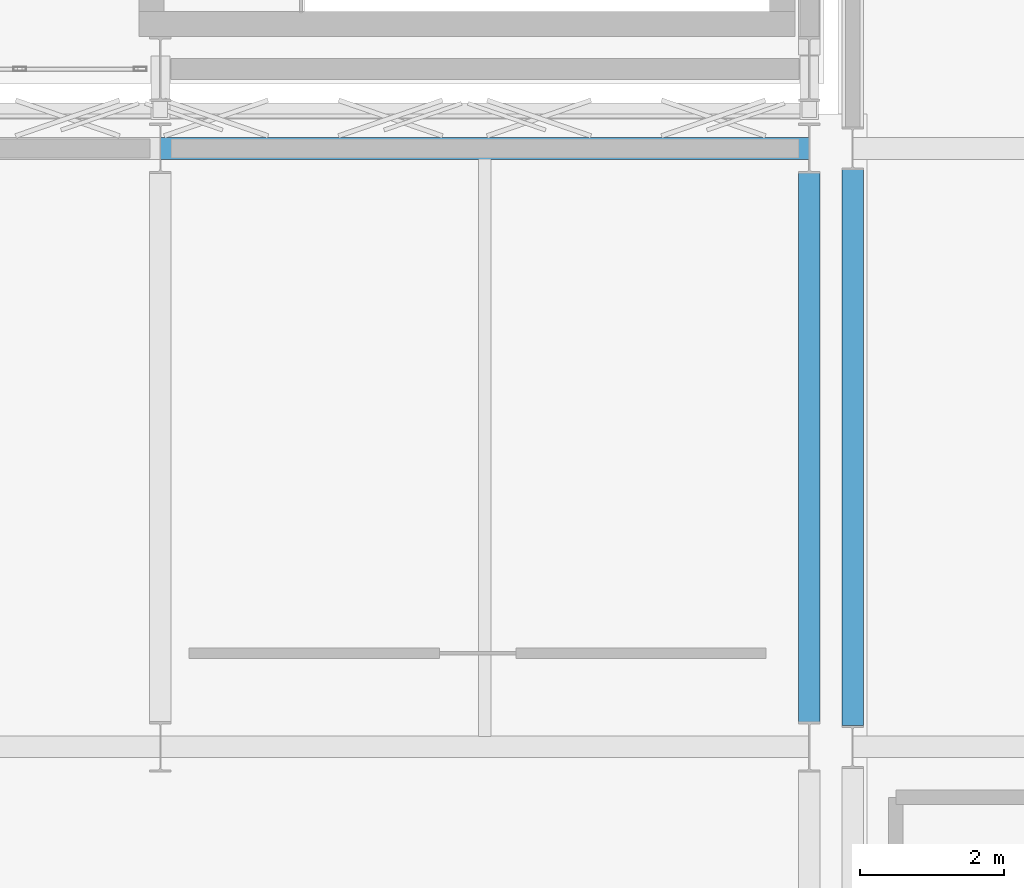
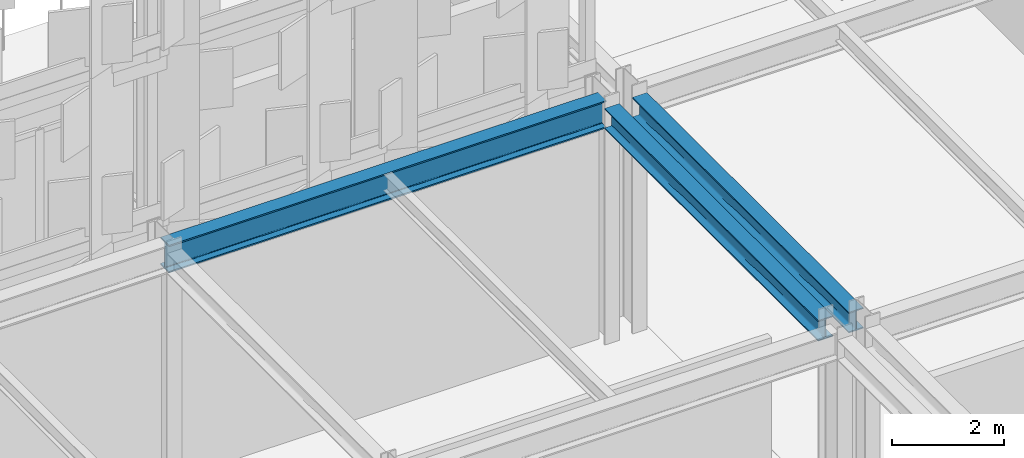
# One storey, part 72 of 210: 3 beams.
"""IFC4 building model written with IfcOpenShell, lengths in metres."""

from ifc_helpers import new_model, si_unit, direction, frame, origin, origin_2d, place, context, subcontext, project, spatial, i_section, extrude, material, material_profile, profile_set, type_object, element, save


model = new_model("IFC4")

# Units and contexts
model_context = context("Model", 3, precision=1e-05, world=origin(), true_north=direction((0.0, 1.0)))
body_context = subcontext(model_context, "Body", "Model", "MODEL_VIEW")
ifc_project = project(units=[si_unit("LENGTHUNIT", "METRE"), si_unit("AREAUNIT", "SQUARE_METRE"), si_unit("VOLUMEUNIT", "CUBIC_METRE"), si_unit("PLANEANGLEUNIT", "RADIAN"), si_unit("MASSUNIT", "GRAM", prefix="KILO")], contexts=[model_context])

# Site, building, storey
site_placement = place(None, origin())
site = spatial("IfcSite", under=ifc_project, at=site_placement, CompositionType="ELEMENT")
building_placement = place(site_placement, origin())
building = spatial("IfcBuilding", under=site, at=building_placement, Name="Kaldris Quays Convention Centre", CompositionType="ELEMENT")
storey_placement = place(building_placement, frame((0.0, 0.0, 6.0)))
storey = spatial("IfcBuildingStorey", under=building, at=storey_placement, Name="L01", CompositionType="ELEMENT", Elevation=6.0)

# Beams
ifc_material = material(Name="Steel S355J2", Category="steel")
ifc_material_profile_1 = material_profile(ifc_material, i_section(OverallWidth=0.300048828125, OverallDepth=0.60009765625, WebThickness=0.015380859375, FlangeThickness=0.030029296875, FilletRadius=0.027099609375, at=origin_2d()), Name="HEB 600")
ifc_profile_set_1 = profile_set([ifc_material_profile_1], Name="Steel S355J2")
beam_type_1 = type_object("IfcBeamType", Name="STRUCTURAL BEAM BM05", PredefinedType="BEAM", material=ifc_profile_set_1)
beam_1_placement = place(storey_placement, frame((137.00244140625, 54.89990234375, 4.843017578125), z_axis=(1.0, 0.0, 0.0), x_axis=(0.0, 1.0, 0.0)))
element("IfcBeam", 1, at=beam_1_placement, inside=storey, type_object=beam_type_1, Name="L01 Girder BM05 25", PredefinedType="BEAM", context=body_context, shape_type="SweptSolid", body=[
    extrude(i_section(OverallWidth=0.300048828125, OverallDepth=0.60009765625, WebThickness=0.015380859375, FlangeThickness=0.030029296875, FilletRadius=0.027099609375, at=origin_2d()), origin(), (0.0, 0.0, 1.0), 8.9951171875),
])
ifc_material_profile_2 = material_profile(ifc_material, i_section(OverallWidth=0.300048828125, OverallDepth=0.449951171875, WebThickness=0.013916015625, FlangeThickness=0.02587890625, FilletRadius=0.027099609375, at=origin_2d()), Name="HEB 450")
ifc_profile_set_2 = profile_set([ifc_material_profile_2], Name="Steel S355J2")
beam_type_2 = type_object("IfcBeamType", Name="STRUCTURAL BEAM BM07", PredefinedType="BEAM", material=ifc_profile_set_2)
beam_2_placement = place(storey_placement, frame((146.0, 46.944091796875, 4.91796875), z_axis=(0.0, 1.0, 0.0), x_axis=(-1.0, 0.0, 0.0)))
element("IfcBeam", 2, at=beam_2_placement, inside=storey, type_object=beam_type_2, Name="L01 Girder BM07 65", PredefinedType="BEAM", context=body_context, shape_type="SweptSolid", body=[
    extrude(i_section(OverallWidth=0.300048828125, OverallDepth=0.449951171875, WebThickness=0.013916015625, FlangeThickness=0.02587890625, FilletRadius=0.027099609375, at=origin_2d()), origin(), (0.0, 0.0, 1.0), 7.61181640625),
])
beam_3_placement = place(storey_placement, frame((146.60009765625, 46.89404296875, 4.91796875), z_axis=(0.0, 1.0, 0.0), x_axis=(-1.0, 0.0, 0.0)))
element("IfcBeam", 3, at=beam_3_placement, inside=storey, type_object=beam_type_2, Name="L01 Girder BM07 67", PredefinedType="BEAM", context=body_context, shape_type="SweptSolid", body=[
    extrude(i_section(OverallWidth=0.300048828125, OverallDepth=0.449951171875, WebThickness=0.013916015625, FlangeThickness=0.02587890625, FilletRadius=0.027099609375, at=origin_2d()), origin(), (0.0, 0.0, 1.0), 7.7119140625),
])

save(model, "model.ifc")
